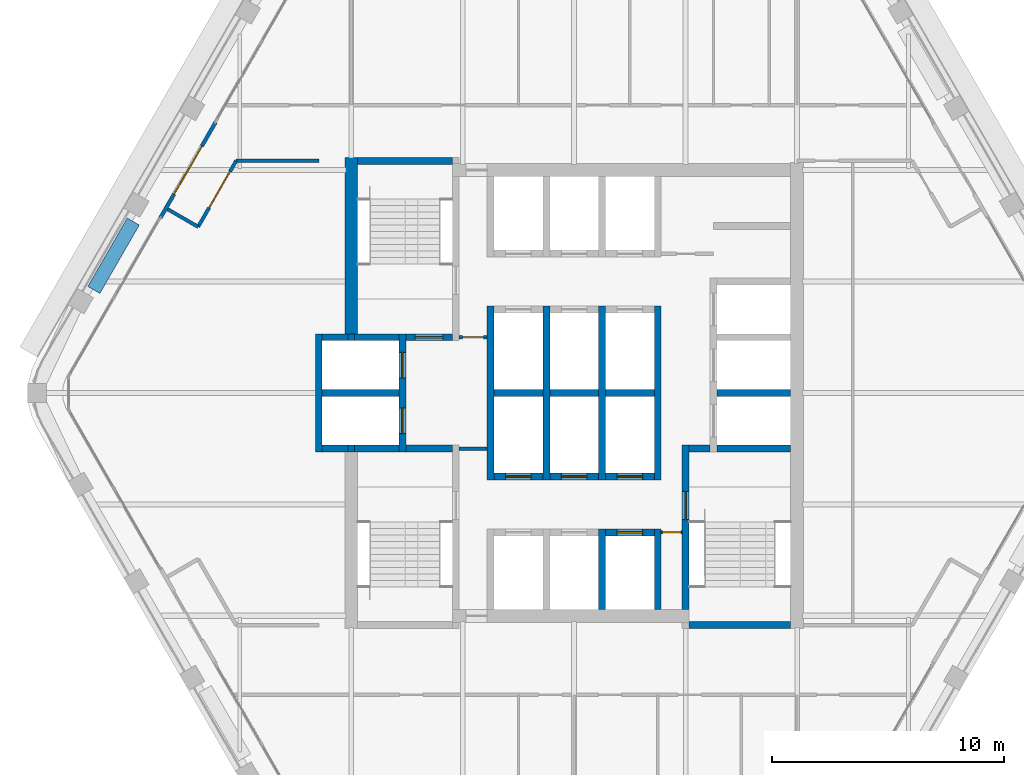
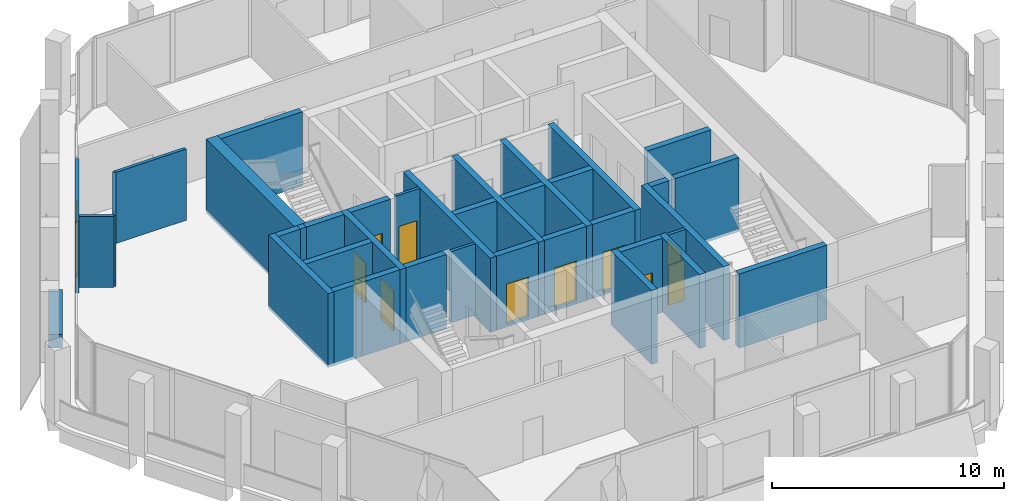
# One storey, part 8 of 13: 39 walls, 12 doors, 12 openings.
"""IFC4 building model written with IfcOpenShell, lengths in metres."""

from ifc_helpers import new_model, si_unit, direction, frame, frame_2d, origin, place, context, subcontext, project, spatial, rectangle, extrude, material, layer, layer_set, type_object, element, fill, save


model = new_model("IFC4")

# Units and contexts
model_context = context("Model", 3, precision=1e-05, world=origin(), true_north=direction((0.0, 1.0)))
body_context = subcontext(model_context, "Body", "Model", "MODEL_VIEW")
ifc_project = project(units=[si_unit("LENGTHUNIT", "METRE"), si_unit("AREAUNIT", "SQUARE_METRE"), si_unit("VOLUMEUNIT", "CUBIC_METRE"), si_unit("PLANEANGLEUNIT", "RADIAN"), si_unit("MASSUNIT", "GRAM", prefix="KILO")], contexts=[model_context])

# Site, building, storey
site_placement = place(None, origin())
site = spatial("IfcSite", under=ifc_project, at=site_placement, CompositionType="ELEMENT")
building_placement = place(site_placement, origin())
building = spatial("IfcBuilding", under=site, at=building_placement, Name="Kolab Exchange Tower", CompositionType="ELEMENT")
storey_placement = place(building_placement, frame((0.0, 0.0, 257.89990234375)))
storey = spatial("IfcBuildingStorey", under=building, at=storey_placement, Name="L57", CompositionType="ELEMENT", Elevation=257.89990234375)

# Wall
ifc_material_1 = material(Name="Concrete C50/60", Category="concrete")
ifc_layer_1 = layer(ifc_material_1, 0.550048828125)
ifc_layer_set_1 = layer_set([ifc_layer_1], Name="Concrete C50/60")
wall_type_1 = type_object("IfcWallType", Name="CORE WALL 550 C50/60", PredefinedType="SHEAR", material=ifc_layer_set_1)
wall_1_placement = place(storey_placement, frame((-9.60009765625, 2.550048828125, -0.14990234375), z_axis=(0.0, 0.0, 1.0), x_axis=(0.0, 1.0, 0.0)))
element("IfcWall", 1, at=wall_1_placement, inside=storey, type_object=wall_type_1, Name="wall/L57/core/037", PredefinedType="SHEAR", context=body_context, shape_type="SweptSolid", body=[
    extrude(rectangle(XDim=7.599853515625, YDim=0.550048828125, at=frame_2d((3.7998046875, 0.0))), origin(), (0.0, 0.0, 1.0), 3.89990234375),
])

# Wall, opening, door
ifc_material_2 = material(Name="Aluminium EN AW-6063 T6", Category="aluminium")
ifc_layer_2 = layer(ifc_material_2, 0.159912109375)
ifc_layer_set_2 = layer_set([ifc_layer_2], Name="Aluminium EN AW-6063 T6")
wall_type_2 = type_object("IfcWallType", Name="DOOR SURROUND WALL 160 ALUMINIUM FRAMED", PredefinedType="PARTITIONING", material=ifc_layer_set_2)
wall_2_placement = place(storey_placement, frame((-17.816650390625, 7.5498046875, 0.0), z_axis=(0.0, 0.0, 1.0), x_axis=(0.499978080042, 0.866038058908, 0.0)))
wall_2 = element("IfcWall", 2, at=wall_2_placement, inside=storey, type_object=wall_type_2, Name="Door surround wall", PredefinedType="PARTITIONING", context=body_context, shape_type="SweptSolid", body=[
    extrude(rectangle(XDim=4.739990234375, YDim=0.159912109375, at=frame_2d((2.3701171875, 0.0))), origin(), (0.0, 0.0, 1.0), 3.75),
])
opening_1_placement = place(wall_2_placement, frame((1.169921875, 0.0, 0.0)))
opening_1 = element("IfcOpeningElement", 3, at=opening_1_placement, cuts=wall_2, Name="Opening GD1-094", PredefinedType="OPENING", context=body_context, shape_type="SweptSolid", body=[
    extrude(rectangle(XDim=2.39990234375, YDim=2.39990234375, at=frame_2d((1.199951171875, 1.199951171875))), frame((0.0, 0.08984375, 0.0), z_axis=(0.0, -1.0, 0.0), x_axis=(1.0, 0.0, 0.0)), (0.0, 0.0, 1.0), 0.179931640625),
])
door_type_1 = type_object("IfcDoorType", Name="LOGGIA SLIDING GLASS DOOR 2400 X 2400", OperationType="DOUBLE_DOOR_SINGLE_SWING", PredefinedType="DOOR", material=ifc_material_2)
door_1_placement = place(opening_1_placement, origin())
door_1 = element("IfcDoor", 4, at=door_1_placement, inside=storey, type_object=door_type_1, Name="Loggia door", OperationType="DOUBLE_DOOR_SLIDING", OverallHeight=2.39990234375, OverallWidth=2.39990234375, PredefinedType="DOOR", context=body_context, shape_type="SweptSolid", body=[
    extrude(rectangle(XDim=2.39990234375, YDim=2.39990234375, at=frame_2d((1.199951171875, 1.199951171875))), frame((0.0, 0.02490234375, 0.0), z_axis=(0.0, -1.0, 0.0), x_axis=(1.0, 0.0, 0.0)), (0.0, 0.0, 1.0), 0.050048828125),
])
fill(opening_1, door_1)

ifc_layer_3 = layer(ifc_material_1, 0.300048828125)
ifc_layer_set_3 = layer_set([ifc_layer_3], Name="Concrete C50/60")
wall_type_3 = type_object("IfcWallType", Name="LIFT SHAFT WALL 300 C50/60", PredefinedType="STANDARD", material=ifc_layer_set_3)
wall_3_placement = place(storey_placement, frame((1.35009765625, -6.0, -0.14990234375), z_axis=(0.0, 0.0, 1.0), x_axis=(1.0, 0.0, 0.0)))
wall_3 = element("IfcWall", 5, at=wall_3_placement, inside=storey, type_object=wall_type_3, Name="wall/L57/core/005", PredefinedType="STANDARD", context=body_context, shape_type="SweptSolid", body=[
    extrude(rectangle(XDim=2.099853515625, YDim=0.300048828125, at=frame_2d((1.0498046875, 0.0))), origin(), (0.0, 0.0, 1.0), 3.89990234375),
])
opening_2_placement = place(wall_3_placement, frame((0.5, 0.0, 0.14990234375)))
opening_2 = element("IfcOpeningElement", 6, at=opening_2_placement, cuts=wall_3, Name="Opening LD1-112", PredefinedType="OPENING", context=body_context, shape_type="SweptSolid", body=[
    extrude(rectangle(XDim=1.10009765625, YDim=2.10009765625, at=frame_2d((0.550048828125, 1.050048828125))), frame((0.0, 0.16015625, 0.0), z_axis=(0.0, -1.0, 0.0), x_axis=(1.0, 0.0, 0.0)), (0.0, 0.0, 1.0), 0.320068359375),
])
ifc_material_3 = material(Name="Stainless steel 316", Category="steel")
door_type_2 = type_object("IfcDoorType", Name="LANDING DOOR 1100 PASSENGER", OperationType="DOUBLE_DOOR_SLIDING", PredefinedType="DOOR", material=ifc_material_3)
door_2_placement = place(opening_2_placement, origin())
door_2 = element("IfcDoor", 7, at=door_2_placement, inside=storey, type_object=door_type_2, Name="Landing door HR12", OperationType="DOUBLE_DOOR_SLIDING", OverallHeight=2.10009765625, OverallWidth=1.10009765625, PredefinedType="DOOR", context=body_context, shape_type="SweptSolid", body=[
    extrude(rectangle(XDim=1.10009765625, YDim=2.10009765625, at=frame_2d((0.550048828125, 1.050048828125))), frame((0.0, 0.02490234375, 0.0), z_axis=(0.0, -1.0, 0.0), x_axis=(1.0, 0.0, 0.0)), (0.0, 0.0, 1.0), 0.050048828125),
])
fill(opening_2, door_2)

wall_4_placement = place(storey_placement, frame((-3.449951171875, -3.60009765625, -0.14990234375), z_axis=(0.0, 0.0, 1.0), x_axis=(1.0, 0.0, 0.0)))
wall_4 = element("IfcWall", 8, at=wall_4_placement, inside=storey, type_object=wall_type_3, Name="wall/L57/core/006", PredefinedType="STANDARD", context=body_context, shape_type="SweptSolid", body=[
    extrude(rectangle(XDim=2.099853515625, YDim=0.300048828125, at=frame_2d((1.0498046875, 0.0))), origin(), (0.0, 0.0, 1.0), 3.89990234375),
])
opening_3_placement = place(wall_4_placement, frame((0.5, 0.0, 0.14990234375)))
opening_3 = element("IfcOpeningElement", 9, at=opening_3_placement, cuts=wall_4, Name="Opening LD1-118", PredefinedType="OPENING", context=body_context, shape_type="SweptSolid", body=[
    extrude(rectangle(XDim=1.10009765625, YDim=2.10009765625, at=frame_2d((0.550048828125, 1.050048828125))), frame((0.0, 0.16015625, 0.0), z_axis=(0.0, -1.0, 0.0), x_axis=(1.0, 0.0, 0.0)), (0.0, 0.0, 1.0), 0.320068359375),
])
door_3_placement = place(opening_3_placement, origin())
door_3 = element("IfcDoor", 10, at=door_3_placement, inside=storey, type_object=door_type_2, Name="Landing door HR7", OperationType="DOUBLE_DOOR_SLIDING", OverallHeight=2.10009765625, OverallWidth=1.10009765625, PredefinedType="DOOR", context=body_context, shape_type="SweptSolid", body=[
    extrude(rectangle(XDim=1.10009765625, YDim=2.10009765625, at=frame_2d((0.550048828125, 1.050048828125))), frame((0.0, 0.02490234375, 0.0), z_axis=(0.0, -1.0, 0.0), x_axis=(1.0, 0.0, 0.0)), (0.0, 0.0, 1.0), 0.050048828125),
])
fill(opening_3, door_3)

wall_5_placement = place(storey_placement, frame((-1.050048828125, -3.60009765625, -0.14990234375), z_axis=(0.0, 0.0, 1.0), x_axis=(1.0, 0.0, 0.0)))
wall_5 = element("IfcWall", 11, at=wall_5_placement, inside=storey, type_object=wall_type_3, Name="wall/L57/core/007", PredefinedType="STANDARD", context=body_context, shape_type="SweptSolid", body=[
    extrude(rectangle(XDim=2.10009765625, YDim=0.300048828125, at=frame_2d((1.050048828125, 0.0))), origin(), (0.0, 0.0, 1.0), 3.89990234375),
])
opening_4_placement = place(wall_5_placement, frame((0.5, 0.0, 0.14990234375)))
opening_4 = element("IfcOpeningElement", 12, at=opening_4_placement, cuts=wall_5, Name="Opening LD1-119", PredefinedType="OPENING", context=body_context, shape_type="SweptSolid", body=[
    extrude(rectangle(XDim=1.10009765625, YDim=2.10009765625, at=frame_2d((0.550048828125, 1.050048828125))), frame((0.0, 0.16015625, 0.0), z_axis=(0.0, -1.0, 0.0), x_axis=(1.0, 0.0, 0.0)), (0.0, 0.0, 1.0), 0.320068359375),
])
door_4_placement = place(opening_4_placement, origin())
door_4 = element("IfcDoor", 13, at=door_4_placement, inside=storey, type_object=door_type_2, Name="Landing door HR8", OperationType="DOUBLE_DOOR_SLIDING", OverallHeight=2.10009765625, OverallWidth=1.10009765625, PredefinedType="DOOR", context=body_context, shape_type="SweptSolid", body=[
    extrude(rectangle(XDim=1.10009765625, YDim=2.10009765625, at=frame_2d((0.550048828125, 1.050048828125))), frame((0.0, 0.02490234375, 0.0), z_axis=(0.0, -1.0, 0.0), x_axis=(1.0, 0.0, 0.0)), (0.0, 0.0, 1.0), 0.050048828125),
])
fill(opening_4, door_4)

wall_6_placement = place(storey_placement, frame((1.35009765625, -3.60009765625, -0.14990234375), z_axis=(0.0, 0.0, 1.0), x_axis=(1.0, 0.0, 0.0)))
wall_6 = element("IfcWall", 14, at=wall_6_placement, inside=storey, type_object=wall_type_3, Name="wall/L57/core/008", PredefinedType="STANDARD", context=body_context, shape_type="SweptSolid", body=[
    extrude(rectangle(XDim=2.099853515625, YDim=0.300048828125, at=frame_2d((1.0498046875, 0.0))), origin(), (0.0, 0.0, 1.0), 3.89990234375),
])
opening_5_placement = place(wall_6_placement, frame((0.5, 0.0, 0.14990234375)))
opening_5 = element("IfcOpeningElement", 15, at=opening_5_placement, cuts=wall_6, Name="Opening LD1-120", PredefinedType="OPENING", context=body_context, shape_type="SweptSolid", body=[
    extrude(rectangle(XDim=1.10009765625, YDim=2.10009765625, at=frame_2d((0.550048828125, 1.050048828125))), frame((0.0, 0.16015625, 0.0), z_axis=(0.0, -1.0, 0.0), x_axis=(1.0, 0.0, 0.0)), (0.0, 0.0, 1.0), 0.320068359375),
])
door_5_placement = place(opening_5_placement, origin())
door_5 = element("IfcDoor", 16, at=door_5_placement, inside=storey, type_object=door_type_2, Name="Landing door HR9", OperationType="DOUBLE_DOOR_SLIDING", OverallHeight=2.10009765625, OverallWidth=1.10009765625, PredefinedType="DOOR", context=body_context, shape_type="SweptSolid", body=[
    extrude(rectangle(XDim=1.10009765625, YDim=2.10009765625, at=frame_2d((0.550048828125, 1.050048828125))), frame((0.0, 0.02490234375, 0.0), z_axis=(0.0, -1.0, 0.0), x_axis=(1.0, 0.0, 0.0)), (0.0, 0.0, 1.0), 0.050048828125),
])
fill(opening_5, door_5)

# Walls
wall_7_placement = place(storey_placement, frame((-10.85009765625, -2.39990234375, -0.14990234375), z_axis=(0.0, 0.0, 1.0), x_axis=(1.0, 0.0, 0.0)))
element("IfcWall", 17, at=wall_7_placement, inside=storey, type_object=wall_type_3, Name="wall/L57/core/009", PredefinedType="STANDARD", context=body_context, shape_type="SweptSolid", body=[
    extrude(rectangle(XDim=1.10009765625, YDim=0.300048828125, at=frame_2d((0.550048828125, 0.0))), origin(), (0.0, 0.0, 1.0), 3.89990234375),
])
wall_8_placement = place(storey_placement, frame((-10.85009765625, 0.0, -0.14990234375), z_axis=(0.0, 0.0, 1.0), x_axis=(1.0, 0.0, 0.0)))
element("IfcWall", 18, at=wall_8_placement, inside=storey, type_object=wall_type_3, Name="wall/L57/core/014", PredefinedType="STANDARD", context=body_context, shape_type="SweptSolid", body=[
    extrude(rectangle(XDim=3.300048828125, YDim=0.300048828125, at=frame_2d((1.64990234375, 0.0))), origin(), (0.0, 0.0, 1.0), 3.89990234375),
])
wall_9_placement = place(storey_placement, frame((-3.449951171875, 0.0, -0.14990234375), z_axis=(0.0, 0.0, 1.0), x_axis=(1.0, 0.0, 0.0)))
element("IfcWall", 19, at=wall_9_placement, inside=storey, type_object=wall_type_3, Name="wall/L57/core/015", PredefinedType="STANDARD", context=body_context, shape_type="SweptSolid", body=[
    extrude(rectangle(XDim=2.099853515625, YDim=0.300048828125, at=frame_2d((1.0498046875, 0.0))), origin(), (0.0, 0.0, 1.0), 3.89990234375),
])
wall_10_placement = place(storey_placement, frame((-1.050048828125, 0.0, -0.14990234375), z_axis=(0.0, 0.0, 1.0), x_axis=(1.0, 0.0, 0.0)))
element("IfcWall", 20, at=wall_10_placement, inside=storey, type_object=wall_type_3, Name="wall/L57/core/016", PredefinedType="STANDARD", context=body_context, shape_type="SweptSolid", body=[
    extrude(rectangle(XDim=2.10009765625, YDim=0.300048828125, at=frame_2d((1.050048828125, 0.0))), origin(), (0.0, 0.0, 1.0), 3.89990234375),
])
wall_11_placement = place(storey_placement, frame((1.35009765625, 0.0, -0.14990234375), z_axis=(0.0, 0.0, 1.0), x_axis=(1.0, 0.0, 0.0)))
element("IfcWall", 21, at=wall_11_placement, inside=storey, type_object=wall_type_3, Name="wall/L57/core/017", PredefinedType="STANDARD", context=body_context, shape_type="SweptSolid", body=[
    extrude(rectangle(XDim=2.099853515625, YDim=0.300048828125, at=frame_2d((1.0498046875, 0.0))), origin(), (0.0, 0.0, 1.0), 3.89990234375),
])
wall_12_placement = place(storey_placement, frame((6.14990234375, 0.0, -0.14990234375), z_axis=(0.0, 0.0, 1.0), x_axis=(1.0, 0.0, 0.0)))
element("IfcWall", 22, at=wall_12_placement, inside=storey, type_object=wall_type_3, Name="wall/L57/core/018", PredefinedType="STANDARD", context=body_context, shape_type="SweptSolid", body=[
    extrude(rectangle(XDim=3.175048828125, YDim=0.300048828125, at=frame_2d((1.58740234375, 0.0))), origin(), (0.0, 0.0, 1.0), 3.89990234375),
])
wall_13_placement = place(storey_placement, frame((-10.85009765625, 2.39990234375, -0.14990234375), z_axis=(0.0, 0.0, 1.0), x_axis=(1.0, 0.0, 0.0)))
element("IfcWall", 23, at=wall_13_placement, inside=storey, type_object=wall_type_3, Name="wall/L57/core/019", PredefinedType="STANDARD", context=body_context, shape_type="SweptSolid", body=[
    extrude(rectangle(XDim=1.10009765625, YDim=0.300048828125, at=frame_2d((0.550048828125, 0.0))), origin(), (0.0, 0.0, 1.0), 3.89990234375),
])
wall_14_placement = place(storey_placement, frame((-11.0, -2.550048828125, -0.14990234375), z_axis=(0.0, 0.0, 1.0), x_axis=(0.0, 1.0, 0.0)))
element("IfcWall", 24, at=wall_14_placement, inside=storey, type_object=wall_type_3, Name="wall/L57/core/033", PredefinedType="STANDARD", context=body_context, shape_type="SweptSolid", body=[
    extrude(rectangle(XDim=5.10009765625, YDim=0.300048828125, at=frame_2d((2.550048828125, 0.0))), origin(), (0.0, 0.0, 1.0), 3.89990234375),
])

# Wall, openings, doors
wall_15_placement = place(storey_placement, frame((-7.39990234375, -2.550048828125, -0.14990234375), z_axis=(0.0, 0.0, 1.0), x_axis=(0.0, 1.0, 0.0)))
wall_15 = element("IfcWall", 25, at=wall_15_placement, inside=storey, type_object=wall_type_3, Name="wall/L57/core/038", PredefinedType="STANDARD", context=body_context, shape_type="SweptSolid", body=[
    extrude(rectangle(XDim=5.10009765625, YDim=0.300048828125, at=frame_2d((2.550048828125, 0.0))), origin(), (0.0, 0.0, 1.0), 3.89990234375),
])
opening_6_placement = place(wall_15_placement, frame((0.800048828125, 0.0, 0.14990234375)))
opening_6 = element("IfcOpeningElement", 26, at=opening_6_placement, cuts=wall_15, Name="Opening LD2-025", PredefinedType="OPENING", context=body_context, shape_type="SweptSolid", body=[
    extrude(rectangle(XDim=1.10009765625, YDim=2.10009765625, at=frame_2d((0.550048828125, 1.050048828125))), frame((0.0, 0.16015625, 0.0), z_axis=(0.0, -1.0, 0.0), x_axis=(1.0, 0.0, 0.0)), (0.0, 0.0, 1.0), 0.320068359375),
])
opening_7_placement = place(wall_15_placement, frame((3.199951171875, 0.0, 0.14990234375)))
opening_7 = element("IfcOpeningElement", 27, at=opening_7_placement, cuts=wall_15, Name="Opening LD2-026", PredefinedType="OPENING", context=body_context, shape_type="SweptSolid", body=[
    extrude(rectangle(XDim=1.10009765625, YDim=2.10009765625, at=frame_2d((0.550048828125, 1.050048828125))), frame((0.0, 0.16015625, 0.0), z_axis=(0.0, -1.0, 0.0), x_axis=(1.0, 0.0, 0.0)), (0.0, 0.0, 1.0), 0.320068359375),
])
door_type_3 = type_object("IfcDoorType", Name="LANDING DOOR 1100 FIREFIGHTING", OperationType="DOUBLE_DOOR_SLIDING", PredefinedType="DOOR", material=ifc_material_3)
door_6_placement = place(opening_6_placement, origin())
door_6 = element("IfcDoor", 28, at=door_6_placement, inside=storey, type_object=door_type_3, Name="Landing door FF1", OperationType="DOUBLE_DOOR_SLIDING", OverallHeight=2.10009765625, OverallWidth=1.10009765625, PredefinedType="DOOR", context=body_context, shape_type="SweptSolid", body=[
    extrude(rectangle(XDim=1.10009765625, YDim=2.10009765625, at=frame_2d((0.550048828125, 1.050048828125))), frame((0.0, 0.02490234375, 0.0), z_axis=(0.0, -1.0, 0.0), x_axis=(1.0, 0.0, 0.0)), (0.0, 0.0, 1.0), 0.050048828125),
])
fill(opening_6, door_6)
door_7_placement = place(opening_7_placement, origin())
door_7 = element("IfcDoor", 29, at=door_7_placement, inside=storey, type_object=door_type_3, Name="Landing door FF2", OperationType="DOUBLE_DOOR_SLIDING", OverallHeight=2.10009765625, OverallWidth=1.10009765625, PredefinedType="DOOR", context=body_context, shape_type="SweptSolid", body=[
    extrude(rectangle(XDim=1.10009765625, YDim=2.10009765625, at=frame_2d((0.550048828125, 1.050048828125))), frame((0.0, 0.02490234375, 0.0), z_axis=(0.0, -1.0, 0.0), x_axis=(1.0, 0.0, 0.0)), (0.0, 0.0, 1.0), 0.050048828125),
])
fill(opening_7, door_7)

# Walls
for number, where, z_axis, x_axis, name in (
    (30, (-3.60009765625, -3.75, -0.14990234375), (0.0, 0.0, 1.0), (0.0, 1.0, 0.0), "wall/L57/core/044"),
    (31, (-1.199951171875, -3.75, -0.14990234375), (0.0, 0.0, 1.0), (0.0, 1.0, 0.0), "wall/L57/core/047"),
):
    element("IfcWall", number, at=place(storey_placement, frame(where, z_axis=z_axis, x_axis=x_axis)), inside=storey, type_object=wall_type_3, Name=name, PredefinedType="STANDARD", context=body_context, shape_type="SweptSolid", body=[
        extrude(rectangle(XDim=7.5, YDim=0.300048828125, at=frame_2d((3.75, 0.0))), origin(), (0.0, 0.0, 1.0), 3.89990234375),
    ])
wall_16_placement = place(storey_placement, frame((1.199951171875, -9.324951171875, -0.14990234375), z_axis=(0.0, 0.0, 1.0), x_axis=(0.0, 1.0, 0.0)))
element("IfcWall", 32, at=wall_16_placement, inside=storey, type_object=wall_type_3, Name="wall/L57/core/049", PredefinedType="STANDARD", context=body_context, shape_type="SweptSolid", body=[
    extrude(rectangle(XDim=3.474853515625, YDim=0.300048828125, at=frame_2d((1.7373046875, 0.0))), origin(), (0.0, 0.0, 1.0), 3.89990234375),
])
wall_17_placement = place(storey_placement, frame((1.199951171875, -3.75, -0.14990234375), z_axis=(0.0, 0.0, 1.0), x_axis=(0.0, 1.0, 0.0)))
element("IfcWall", 33, at=wall_17_placement, inside=storey, type_object=wall_type_3, Name="wall/L57/core/050", PredefinedType="STANDARD", context=body_context, shape_type="SweptSolid", body=[
    extrude(rectangle(XDim=7.5, YDim=0.300048828125, at=frame_2d((3.75, 0.0))), origin(), (0.0, 0.0, 1.0), 3.89990234375),
])
wall_18_placement = place(storey_placement, frame((3.60009765625, -9.324951171875, -0.14990234375), z_axis=(0.0, 0.0, 1.0), x_axis=(0.0, 1.0, 0.0)))
element("IfcWall", 34, at=wall_18_placement, inside=storey, type_object=wall_type_3, Name="wall/L57/core/052", PredefinedType="STANDARD", context=body_context, shape_type="SweptSolid", body=[
    extrude(rectangle(XDim=3.474853515625, YDim=0.300048828125, at=frame_2d((1.7373046875, 0.0))), origin(), (0.0, 0.0, 1.0), 3.89990234375),
])
wall_19_placement = place(storey_placement, frame((3.60009765625, -3.75, -0.14990234375), z_axis=(0.0, 0.0, 1.0), x_axis=(0.0, 1.0, 0.0)))
element("IfcWall", 35, at=wall_19_placement, inside=storey, type_object=wall_type_3, Name="wall/L57/core/053", PredefinedType="STANDARD", context=body_context, shape_type="SweptSolid", body=[
    extrude(rectangle(XDim=7.5, YDim=0.300048828125, at=frame_2d((3.75, 0.0))), origin(), (0.0, 0.0, 1.0), 3.89990234375),
])

# Wall, opening, door
ifc_material_4 = material(Name="Gypsum board", Category="gypsum")
ifc_layer_4 = layer(ifc_material_4, 0.14990234375)
ifc_layer_set_4 = layer_set([ifc_layer_4], Name="Gypsum board")
wall_type_4 = type_object("IfcWallType", Name="PARTITION 150 FIRE-RATED", PredefinedType="PARTITIONING", material=ifc_layer_set_4)
wall_20_placement = place(storey_placement, frame((-16.196044921875, 7.15673828125, 0.0), z_axis=(0.0, 0.0, 1.0), x_axis=(0.499954196102, 0.866051847062, 0.0)))
wall_20 = element("IfcWall", 36, at=wall_20_placement, inside=storey, type_object=wall_type_4, Name="Partition 015", PredefinedType="PARTITIONING", context=body_context, shape_type="SweptSolid", body=[
    extrude(rectangle(XDim=3.282958984375, YDim=0.14990234375, at=frame_2d((1.6416015625, 0.0))), origin(), (0.0, 0.0, 1.0), 3.75),
])
opening_8_placement = place(wall_20_placement, frame((0.94140625, 0.0, 0.0)))
opening_8 = element("IfcOpeningElement", 37, at=opening_8_placement, cuts=wall_20, Name="Opening D2-072", PredefinedType="OPENING", context=body_context, shape_type="SweptSolid", body=[
    extrude(rectangle(XDim=1.800048828125, YDim=2.10009765625, at=frame_2d((0.89990234375, 1.050048828125))), frame((0.0, 0.0849609375, 0.0), z_axis=(0.0, -1.0, 0.0), x_axis=(1.0, 0.0, 0.0)), (0.0, 0.0, 1.0), 0.169921875),
])
ifc_material_5 = material(Name="Steel S235", Category="steel")
door_type_4 = type_object("IfcDoorType", Name="DOUBLE DOOR 1800 FD60", OperationType="DOUBLE_DOOR_SINGLE_SWING", PredefinedType="DOOR", material=ifc_material_5)
door_8_placement = place(opening_8_placement, frame((1.800048828125, 0.0, 0.0), z_axis=(0.0, 0.0, 1.0), x_axis=(-1.0, 0.0, 0.0)))
door_8 = element("IfcDoor", 38, at=door_8_placement, inside=storey, type_object=door_type_4, Name="Door L57-042", OperationType="SINGLE_SWING_RIGHT", OverallHeight=2.10009765625, OverallWidth=1.800048828125, PredefinedType="DOOR", context=body_context, shape_type="SweptSolid", body=[
    extrude(rectangle(XDim=1.800048828125, YDim=2.10009765625, at=frame_2d((0.89990234375, 1.050048828125))), frame((0.0, 0.02490234375, 0.0), z_axis=(0.0, -1.0, 0.0), x_axis=(1.0, 0.0, 0.0)), (0.0, 0.0, 1.0), 0.050048828125),
])
fill(opening_8, door_8)

# Wall
wall_21_placement = place(storey_placement, frame((-17.512451171875, 7.9169921875, 0.0), z_axis=(0.0, 0.0, 1.0), x_axis=(0.865960906633, -0.500111695708, 0.0)))
element("IfcWall", 39, at=wall_21_placement, inside=storey, type_object=wall_type_4, Name="Partition 016", PredefinedType="PARTITIONING", context=body_context, shape_type="SweptSolid", body=[
    extrude(rectangle(XDim=1.520263671875, YDim=0.14990234375, at=frame_2d((0.76025390625, 0.0))), origin(), (0.0, 0.0, 1.0), 3.75),
])

# Wall, opening, door
wall_22_placement = place(storey_placement, frame((3.75, -6.0, 0.0), z_axis=(0.0, 0.0, 1.0), x_axis=(1.0, 0.0, 0.0)))
wall_22 = element("IfcWall", 40, at=wall_22_placement, inside=storey, type_object=wall_type_4, Name="Partition 024", PredefinedType="PARTITIONING", context=body_context, shape_type="SweptSolid", body=[
    extrude(rectangle(XDim=0.89990234375, YDim=0.14990234375, at=frame_2d((0.449951171875, 0.0))), origin(), (0.0, 0.0, 1.0), 3.75),
])
opening_9_placement = place(wall_22_placement, frame((0.050048828125, 0.0, 0.0)))
opening_9 = element("IfcOpeningElement", 41, at=opening_9_placement, cuts=wall_22, Name="Opening D7-041", PredefinedType="OPENING", context=body_context, shape_type="SweptSolid", body=[
    extrude(rectangle(XDim=0.800048828125, YDim=2.10009765625, at=frame_2d((0.39990234375, 1.050048828125))), frame((0.0, 0.0849609375, 0.0), z_axis=(0.0, -1.0, 0.0), x_axis=(1.0, 0.0, 0.0)), (0.0, 0.0, 1.0), 0.169921875),
])
door_type_5 = type_object("IfcDoorType", Name="FLUSH DOOR 800 FD60", OperationType="SINGLE_SWING_LEFT", PredefinedType="DOOR", material=ifc_material_5)
door_9_placement = place(opening_9_placement, frame((0.800048828125, 0.0, 0.0), z_axis=(0.0, 0.0, 1.0), x_axis=(-1.0, 0.0, 0.0)))
door_9 = element("IfcDoor", 42, at=door_9_placement, inside=storey, type_object=door_type_5, Name="Door L57-024", OperationType="SINGLE_SWING_RIGHT", OverallHeight=2.10009765625, OverallWidth=0.800048828125, PredefinedType="DOOR", context=body_context, shape_type="SweptSolid", body=[
    extrude(rectangle(XDim=0.800048828125, YDim=2.10009765625, at=frame_2d((0.39990234375, 1.050048828125))), frame((0.0, 0.02490234375, 0.0), z_axis=(0.0, -1.0, 0.0), x_axis=(1.0, 0.0, 0.0)), (0.0, 0.0, 1.0), 0.050048828125),
])
fill(opening_9, door_9)

# Wall
wall_23_placement = place(storey_placement, frame((-14.5546875, 10.0, 0.0), z_axis=(0.0, 0.0, 1.0), x_axis=(1.0, 0.0, 0.0)))
element("IfcWall", 43, at=wall_23_placement, inside=storey, type_object=wall_type_4, Name="Partition 026", PredefinedType="PARTITIONING", context=body_context, shape_type="SweptSolid", body=[
    extrude(rectangle(XDim=3.5546875, YDim=0.14990234375, at=frame_2d((1.77734375, 0.0))), origin(), (0.0, 0.0, 1.0), 3.75),
])

# Wall, opening, door
wall_24_placement = place(storey_placement, frame((-4.949951171875, 2.39990234375, 0.0), z_axis=(0.0, 0.0, 1.0), x_axis=(1.0, 0.0, 0.0)))
wall_24 = element("IfcWall", 44, at=wall_24_placement, inside=storey, type_object=wall_type_4, Name="Fire partition", PredefinedType="PARTITIONING", context=body_context, shape_type="SweptSolid", body=[
    extrude(rectangle(XDim=1.199951171875, YDim=0.14990234375, at=frame_2d((0.60009765625, 0.0))), origin(), (0.0, 0.0, 1.0), 3.75),
])
opening_10_placement = place(wall_24_placement, frame((0.14990234375, 0.0, 0.0)))
opening_10 = element("IfcOpeningElement", 45, at=opening_10_placement, cuts=wall_24, Name="Opening D6-288", PredefinedType="OPENING", context=body_context, shape_type="SweptSolid", body=[
    extrude(rectangle(XDim=0.89990234375, YDim=2.10009765625, at=frame_2d((0.449951171875, 1.050048828125))), frame((0.0, 0.0849609375, 0.0), z_axis=(0.0, -1.0, 0.0), x_axis=(1.0, 0.0, 0.0)), (0.0, 0.0, 1.0), 0.169921875),
])
door_type_6 = type_object("IfcDoorType", Name="CORE DOOR 900 EI 120", OperationType="SINGLE_SWING_LEFT", PredefinedType="DOOR", material=ifc_material_5)
door_10_placement = place(opening_10_placement, frame((0.89990234375, 0.0, 0.0), z_axis=(0.0, 0.0, 1.0), x_axis=(-1.0, 0.0, 0.0)))
door_10 = element("IfcDoor", 46, at=door_10_placement, inside=storey, type_object=door_type_6, Name="Firefighting lobby door", OperationType="SINGLE_SWING_RIGHT", OverallHeight=2.10009765625, OverallWidth=0.89990234375, PredefinedType="DOOR", context=body_context, shape_type="SweptSolid", body=[
    extrude(rectangle(XDim=0.89990234375, YDim=2.10009765625, at=frame_2d((0.449951171875, 1.050048828125))), frame((0.0, 0.02490234375, 0.0), z_axis=(0.0, -1.0, 0.0), x_axis=(1.0, 0.0, 0.0)), (0.0, 0.0, 1.0), 0.050048828125),
])
fill(opening_10, door_10)

# Walls
wall_25_placement = place(storey_placement, frame((-4.949951171875, -2.39990234375, 0.0), z_axis=(0.0, 0.0, 1.0), x_axis=(1.0, 0.0, 0.0)))
element("IfcWall", 47, at=wall_25_placement, inside=storey, type_object=wall_type_4, Name="Fire partition", PredefinedType="PARTITIONING", context=body_context, shape_type="SweptSolid", body=[
    extrude(rectangle(XDim=1.199951171875, YDim=0.14990234375, at=frame_2d((0.60009765625, 0.0))), origin(), (0.0, 0.0, 1.0), 3.75),
])
ifc_material_6 = material(Name="Granite facing", Category="masonry")
ifc_layer_5 = layer(ifc_material_6, 0.0400390625)
ifc_material_7 = material(Name="Concrete C40/50 precast", Category="concrete")
ifc_layer_6 = layer(ifc_material_7, 0.56005859375)
ifc_layer_set_5 = layer_set([ifc_layer_5, ifc_layer_6], Name="Concrete C40/50 precast")
wall_type_5 = type_object("IfcWallType", Name="PLANTER BOX 600 X 700 SOIL DEPTH 550", PredefinedType="USERDEFINED", material=ifc_layer_set_5)
wall_26_placement = place(storey_placement, frame((-20.68701171875, 4.438232421875, 0.0), z_axis=(0.0, 0.0, 1.0), x_axis=(0.500008388397, 0.866020560687, 0.0)))
element("IfcWall", 48, at=wall_26_placement, inside=storey, type_object=wall_type_5, Name="Planter", ObjectType="PLANTER", PredefinedType="USERDEFINED", context=body_context, shape_type="SweptSolid", body=[
    extrude(rectangle(XDim=3.39990234375, YDim=0.60009765625, at=frame_2d((1.699951171875, 0.0))), origin(), (0.0, 0.0, 1.0), 0.7001953125),
])
ifc_layer_7 = layer(ifc_material_1, 0.300048828125)
ifc_layer_set_6 = layer_set([ifc_layer_7], Name="Concrete C50/60")
wall_type_6 = type_object("IfcWallType", Name="STAIR ENCLOSURE WALL 300 C50/60", PredefinedType="STANDARD", material=ifc_layer_set_6)
wall_27_placement = place(storey_placement, frame((4.949951171875, -10.0, -0.14990234375), z_axis=(0.0, 0.0, 1.0), x_axis=(1.0, 0.0, 0.0)))
element("IfcWall", 49, at=wall_27_placement, inside=storey, type_object=wall_type_6, Name="wall/L57/core/001", PredefinedType="STANDARD", context=body_context, shape_type="SweptSolid", body=[
    extrude(rectangle(XDim=4.375, YDim=0.300048828125, at=frame_2d((2.1875, 0.0))), origin(), (0.0, 0.0, 1.0), 3.89990234375),
])
wall_28_placement = place(storey_placement, frame((-9.449951171875, -2.39990234375, -0.14990234375), z_axis=(0.0, 0.0, 1.0), x_axis=(1.0, 0.0, 0.0)))
element("IfcWall", 50, at=wall_28_placement, inside=storey, type_object=wall_type_6, Name="wall/L57/core/010", PredefinedType="STANDARD", context=body_context, shape_type="SweptSolid", body=[
    extrude(rectangle(XDim=1.89990234375, YDim=0.300048828125, at=frame_2d((0.949951171875, 0.0))), origin(), (0.0, 0.0, 1.0), 3.89990234375),
])
wall_29_placement = place(storey_placement, frame((-7.25, -2.39990234375, -0.14990234375), z_axis=(0.0, 0.0, 1.0), x_axis=(1.0, 0.0, 0.0)))
element("IfcWall", 51, at=wall_29_placement, inside=storey, type_object=wall_type_6, Name="wall/L57/core/011", PredefinedType="STANDARD", context=body_context, shape_type="SweptSolid", body=[
    extrude(rectangle(XDim=2.0, YDim=0.300048828125, at=frame_2d((1.0, 0.0))), origin(), (0.0, 0.0, 1.0), 3.89990234375),
])
wall_30_placement = place(storey_placement, frame((4.949951171875, -2.39990234375, -0.14990234375), z_axis=(0.0, 0.0, 1.0), x_axis=(1.0, 0.0, 0.0)))
element("IfcWall", 52, at=wall_30_placement, inside=storey, type_object=wall_type_6, Name="wall/L57/core/012", PredefinedType="STANDARD", context=body_context, shape_type="SweptSolid", body=[
    extrude(rectangle(XDim=0.900146484375, YDim=0.300048828125, at=frame_2d((0.4501953125, 0.0))), origin(), (0.0, 0.0, 1.0), 3.89990234375),
])
wall_31_placement = place(storey_placement, frame((6.14990234375, -2.39990234375, -0.14990234375), z_axis=(0.0, 0.0, 1.0), x_axis=(1.0, 0.0, 0.0)))
element("IfcWall", 53, at=wall_31_placement, inside=storey, type_object=wall_type_6, Name="wall/L57/core/013", PredefinedType="STANDARD", context=body_context, shape_type="SweptSolid", body=[
    extrude(rectangle(XDim=3.175048828125, YDim=0.300048828125, at=frame_2d((1.58740234375, 0.0))), origin(), (0.0, 0.0, 1.0), 3.89990234375),
])
wall_32_placement = place(storey_placement, frame((-9.449951171875, 2.39990234375, -0.14990234375), z_axis=(0.0, 0.0, 1.0), x_axis=(1.0, 0.0, 0.0)))
element("IfcWall", 54, at=wall_32_placement, inside=storey, type_object=wall_type_6, Name="wall/L57/core/020", PredefinedType="STANDARD", context=body_context, shape_type="SweptSolid", body=[
    extrude(rectangle(XDim=1.89990234375, YDim=0.300048828125, at=frame_2d((0.949951171875, 0.0))), origin(), (0.0, 0.0, 1.0), 3.89990234375),
])

# Wall, opening, door
wall_33_placement = place(storey_placement, frame((-7.25, 2.39990234375, -0.14990234375), z_axis=(0.0, 0.0, 1.0), x_axis=(1.0, 0.0, 0.0)))
wall_33 = element("IfcWall", 55, at=wall_33_placement, inside=storey, type_object=wall_type_6, Name="wall/L57/core/021", PredefinedType="STANDARD", context=body_context, shape_type="SweptSolid", body=[
    extrude(rectangle(XDim=2.0, YDim=0.300048828125, at=frame_2d((1.0, 0.0))), origin(), (0.0, 0.0, 1.0), 3.89990234375),
])
opening_11_placement = place(wall_33_placement, frame((0.39990234375, 0.0, 0.14990234375)))
opening_11 = element("IfcOpeningElement", 56, at=opening_11_placement, cuts=wall_33, Name="Opening D4-065", PredefinedType="OPENING", context=body_context, shape_type="SweptSolid", body=[
    extrude(rectangle(XDim=1.199951171875, YDim=2.10009765625, at=frame_2d((0.60009765625, 1.050048828125))), frame((0.0, 0.16015625, 0.0), z_axis=(0.0, -1.0, 0.0), x_axis=(1.0, 0.0, 0.0)), (0.0, 0.0, 1.0), 0.320068359375),
])
door_type_7 = type_object("IfcDoorType", Name="STAIR DOOR 1200 EI 120", OperationType="SINGLE_SWING_LEFT", PredefinedType="DOOR", material=ifc_material_5)
door_11_placement = place(opening_11_placement, origin())
door_11 = element("IfcDoor", 57, at=door_11_placement, inside=storey, type_object=door_type_7, Name="Stair 1 door", OperationType="SINGLE_SWING_RIGHT", OverallHeight=2.10009765625, OverallWidth=1.199951171875, PredefinedType="DOOR", context=body_context, shape_type="SweptSolid", body=[
    extrude(rectangle(XDim=1.199951171875, YDim=2.10009765625, at=frame_2d((0.60009765625, 1.050048828125))), frame((0.0, 0.02490234375, 0.0), z_axis=(0.0, -1.0, 0.0), x_axis=(1.0, 0.0, 0.0)), (0.0, 0.0, 1.0), 0.050048828125),
])
fill(opening_11, door_11)

# Walls
wall_34_placement = place(storey_placement, frame((-9.324951171875, 10.0, -0.14990234375), z_axis=(0.0, 0.0, 1.0), x_axis=(1.0, 0.0, 0.0)))
element("IfcWall", 58, at=wall_34_placement, inside=storey, type_object=wall_type_6, Name="wall/L57/core/032", PredefinedType="STANDARD", context=body_context, shape_type="SweptSolid", body=[
    extrude(rectangle(XDim=4.074951171875, YDim=0.300048828125, at=frame_2d((2.03759765625, 0.0))), origin(), (0.0, 0.0, 1.0), 3.89990234375),
])
for number, where, z_axis, x_axis, name in (
    (59, (-9.60009765625, -2.550048828125, -0.14990234375), (0.0, 0.0, 1.0), (0.0, 1.0, 0.0), "wall/L57/core/035"),
    (60, (-9.60009765625, 2.25, -0.14990234375), (0.0, 0.0, 1.0), (0.0, 1.0, 0.0), "wall/L57/core/036"),
):
    element("IfcWall", number, at=place(storey_placement, frame(where, z_axis=z_axis, x_axis=x_axis)), inside=storey, type_object=wall_type_6, Name=name, PredefinedType="STANDARD", context=body_context, shape_type="SweptSolid", body=[
        extrude(rectangle(XDim=0.300048828125, YDim=0.300048828125, at=frame_2d((0.14990234375, 0.0))), origin(), (0.0, 0.0, 1.0), 3.89990234375),
    ])

# Wall, opening, door
wall_35_placement = place(storey_placement, frame((4.800048828125, -9.324951171875, -0.14990234375), z_axis=(0.0, 0.0, 1.0), x_axis=(0.0, 1.0, 0.0)))
wall_35 = element("IfcWall", 61, at=wall_35_placement, inside=storey, type_object=wall_type_6, Name="wall/L57/core/056", PredefinedType="STANDARD", context=body_context, shape_type="SweptSolid", body=[
    extrude(rectangle(XDim=7.074951171875, YDim=0.300048828125, at=frame_2d((3.53759765625, 0.0))), origin(), (0.0, 0.0, 1.0), 3.89990234375),
])
opening_12_placement = place(wall_35_placement, frame((3.875, 0.0, 0.14990234375)))
opening_12 = element("IfcOpeningElement", 62, at=opening_12_placement, cuts=wall_35, Name="Opening D4-077", PredefinedType="OPENING", context=body_context, shape_type="SweptSolid", body=[
    extrude(rectangle(XDim=1.199951171875, YDim=2.10009765625, at=frame_2d((0.60009765625, 1.050048828125))), frame((0.0, 0.16015625, 0.0), z_axis=(0.0, -1.0, 0.0), x_axis=(1.0, 0.0, 0.0)), (0.0, 0.0, 1.0), 0.320068359375),
])
door_12_placement = place(opening_12_placement, frame((1.199951171875, 0.0, 0.0), z_axis=(0.0, 0.0, 1.0), x_axis=(-1.0, 0.0, 0.0)))
door_12 = element("IfcDoor", 63, at=door_12_placement, inside=storey, type_object=door_type_7, Name="Stair 2 door", OperationType="SINGLE_SWING_RIGHT", OverallHeight=2.10009765625, OverallWidth=1.199951171875, PredefinedType="DOOR", context=body_context, shape_type="SweptSolid", body=[
    extrude(rectangle(XDim=1.199951171875, YDim=2.10009765625, at=frame_2d((0.60009765625, 1.050048828125))), frame((0.0, 0.02490234375, 0.0), z_axis=(0.0, -1.0, 0.0), x_axis=(1.0, 0.0, 0.0)), (0.0, 0.0, 1.0), 0.050048828125),
])
fill(opening_12, door_12)

save(model, "model.ifc")
